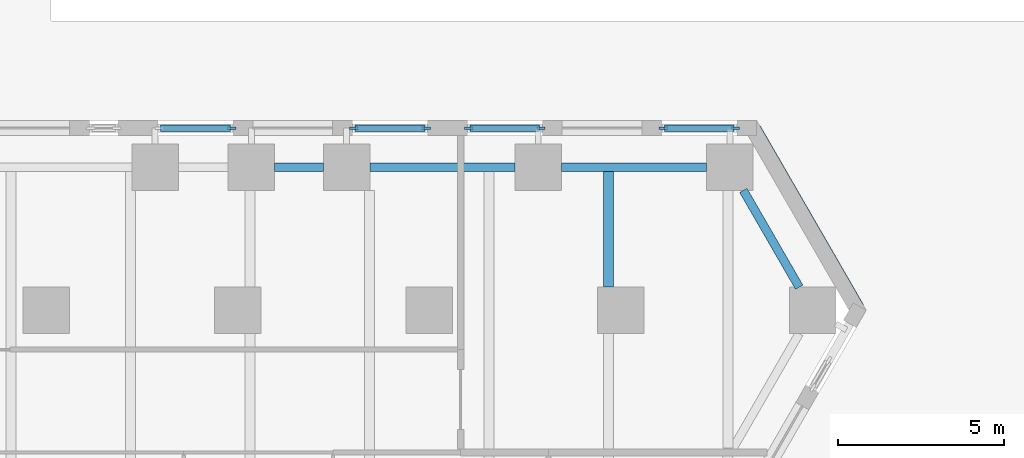
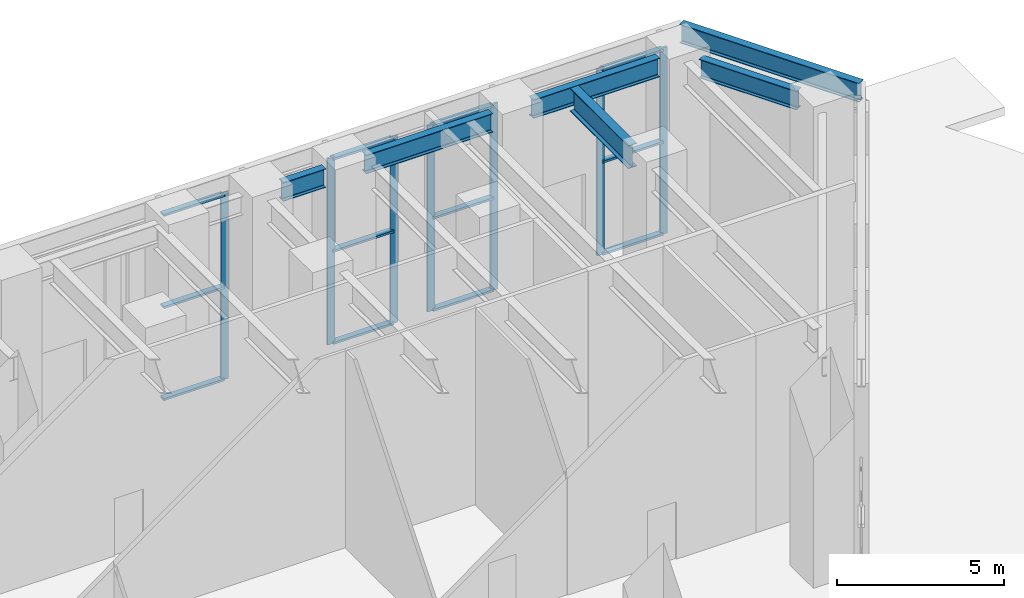
# One storey, part 16 of 37: 19 members, 6 beams, 4 elements without a shape of their own.
"""IFC4 building model written with IfcOpenShell, lengths in metres."""

from ifc_helpers import new_model, si_unit, direction, frame, origin, origin_2d, place, context, subcontext, project, spatial, rectangle, i_section, extrude, material, material_profile, profile_set, type_object, element, aggregate, save


model = new_model("IFC4")

# Units and contexts
model_context = context("Model", 3, precision=1e-05, world=origin(), true_north=direction((0.0, 1.0)))
body_context = subcontext(model_context, "Body", "Model", "MODEL_VIEW")
ifc_project = project(units=[si_unit("LENGTHUNIT", "METRE"), si_unit("AREAUNIT", "SQUARE_METRE"), si_unit("VOLUMEUNIT", "CUBIC_METRE"), si_unit("PLANEANGLEUNIT", "RADIAN"), si_unit("MASSUNIT", "GRAM", prefix="KILO")], contexts=[model_context])

# Site, building, storey
site_placement = place(None, origin())
site = spatial("IfcSite", under=ifc_project, at=site_placement, CompositionType="ELEMENT")
building_placement = place(site_placement, origin())
building = spatial("IfcBuilding", under=site, at=building_placement, Name="Aloe Facet Convention Tower", CompositionType="ELEMENT")
storey_placement = place(building_placement, origin())
storey = spatial("IfcBuildingStorey", under=building, at=storey_placement, Name="L00", CompositionType="ELEMENT", Elevation=0.0)

# Beam
ifc_material_1 = material(Name="Steel S355", Category="steel")
ifc_material_profile_1 = material_profile(ifc_material_1, i_section(OverallWidth=0.25439453125, OverallDepth=0.6875, WebThickness=0.01318359375, FlangeThickness=0.02099609375, FilletRadius=0.01513671875, at=origin_2d()), Name="UB 686x254x152")
ifc_profile_set_1 = profile_set([ifc_material_profile_1], Name="Steel S355")
beam_type_1 = type_object("IfcBeamType", Name="EV-EB-UB686x254x152", PredefinedType="BEAM", material=ifc_profile_set_1)
beam_1_placement = place(storey_placement, frame((134.372802734375, 129.396728515625, 6.856201171875), z_axis=(-0.500016243463, 0.866016025414, 0.0), x_axis=(-0.866016025414, -0.500016243463, 0.0)))
element("IfcBeam", 1, at=beam_1_placement, inside=storey, type_object=beam_type_1, Name="EB-L01-C", PredefinedType="BEAM", context=body_context, shape_type="SweptSolid", body=[
    extrude(i_section(OverallWidth=0.25439453125, OverallDepth=0.6875, WebThickness=0.01318359375, FlangeThickness=0.02099609375, FilletRadius=0.01513671875, at=origin_2d()), origin(), (0.0, 0.0, 1.0), 6.210205078125),
])

# Curtain wall, members
ifc_material_2 = material(Name="Aluminium, anodised", Category="aluminium")
curtain_wall_type = type_object("IfcCurtainWallType", Name="EV-CW-PORTAL", PredefinedType="USERDEFINED", material=ifc_material_2)
curtain_wall_1_placement = place(storey_placement, origin())
curtain_wall_1 = element("IfcCurtainWall", 2, at=curtain_wall_1_placement, inside=storey, type_object=curtain_wall_type, Name="CW-L00-N02A", ObjectType="ENTRANCE PORTAL GLAZING", PredefinedType="USERDEFINED")
ifc_material_3 = material(Name="Aluminium, anodised", Category="aluminium")
ifc_material_profile_2 = material_profile(ifc_material_3, rectangle(XDim=0.080078125, YDim=0.25, at=origin_2d()), Name="AL 80x250")
ifc_profile_set_2 = profile_set([ifc_material_profile_2], Name="Aluminium, anodised")
member_type_1 = type_object("IfcMemberType", Name="EV-MULL-PORTAL", PredefinedType="MULLION", material=ifc_profile_set_2)
member_1_placement = place(storey_placement, frame((130.62744140625, 134.77490234375, -0.300048828125), z_axis=(0.0, 0.0, 1.0), x_axis=(0.0, -1.0, 0.0)))
member_1 = element("IfcMember", 3, at=member_1_placement, type_object=member_type_1, Name="CW-L00-N02A mullion 1", PredefinedType="MULLION", context=body_context, shape_type="SweptSolid", body=[
    extrude(rectangle(XDim=0.080078125, YDim=0.25, at=origin_2d()), origin(), (0.0, 0.0, 1.0), 6.8125),
])
member_2_placement = place(storey_placement, frame((128.44677734375, 134.77490234375, -0.300048828125), z_axis=(0.0, 0.0, 1.0), x_axis=(0.0, -1.0, 0.0)))
member_2 = element("IfcMember", 4, at=member_2_placement, type_object=member_type_1, Name="CW-L00-N02A mullion 2", PredefinedType="MULLION", context=body_context, shape_type="SweptSolid", body=[
    extrude(rectangle(XDim=0.080078125, YDim=0.25, at=origin_2d()), origin(), (0.0, 0.0, 1.0), 6.8125),
])

curtain_wall_2_placement = place(storey_placement, origin())
curtain_wall_2 = element("IfcCurtainWall", 5, at=curtain_wall_2_placement, inside=storey, type_object=curtain_wall_type, Name="CW-L00-N02B", ObjectType="ENTRANCE PORTAL GLAZING", PredefinedType="USERDEFINED")
member_3_placement = place(storey_placement, frame((124.766845703125, 134.77490234375, -0.300048828125), z_axis=(0.0, 0.0, 1.0), x_axis=(0.0, -1.0, 0.0)))
member_3 = element("IfcMember", 6, at=member_3_placement, type_object=member_type_1, Name="CW-L00-N02B mullion 1", PredefinedType="MULLION", context=body_context, shape_type="SweptSolid", body=[
    extrude(rectangle(XDim=0.080078125, YDim=0.25, at=origin_2d()), origin(), (0.0, 0.0, 1.0), 6.8125),
])
member_4_placement = place(storey_placement, frame((122.586181640625, 134.77490234375, -0.300048828125), z_axis=(0.0, 0.0, 1.0), x_axis=(0.0, -1.0, 0.0)))
member_4 = element("IfcMember", 7, at=member_4_placement, type_object=member_type_1, Name="CW-L00-N02B mullion 2", PredefinedType="MULLION", context=body_context, shape_type="SweptSolid", body=[
    extrude(rectangle(XDim=0.080078125, YDim=0.25, at=origin_2d()), origin(), (0.0, 0.0, 1.0), 6.8125),
])

curtain_wall_3_placement = place(storey_placement, origin())
curtain_wall_3 = element("IfcCurtainWall", 8, at=curtain_wall_3_placement, inside=storey, type_object=curtain_wall_type, Name="CW-L00-N04A", ObjectType="ENTRANCE PORTAL GLAZING", PredefinedType="USERDEFINED")
member_5_placement = place(storey_placement, frame((121.30615234375, 134.77490234375, -0.300048828125), z_axis=(0.0, 0.0, 1.0), x_axis=(0.0, -1.0, 0.0)))
member_5 = element("IfcMember", 9, at=member_5_placement, type_object=member_type_1, Name="CW-L00-N04A mullion 1", PredefinedType="MULLION", context=body_context, shape_type="SweptSolid", body=[
    extrude(rectangle(XDim=0.080078125, YDim=0.25, at=origin_2d()), origin(), (0.0, 0.0, 1.0), 6.8125),
])
member_6_placement = place(storey_placement, frame((119.12548828125, 134.77490234375, -0.300048828125), z_axis=(0.0, 0.0, 1.0), x_axis=(0.0, -1.0, 0.0)))
member_6 = element("IfcMember", 10, at=member_6_placement, type_object=member_type_1, Name="CW-L00-N04A mullion 2", PredefinedType="MULLION", context=body_context, shape_type="SweptSolid", body=[
    extrude(rectangle(XDim=0.080078125, YDim=0.25, at=origin_2d()), origin(), (0.0, 0.0, 1.0), 6.8125),
])

# Curtain wall, member
curtain_wall_4_placement = place(storey_placement, origin())
curtain_wall_4 = element("IfcCurtainWall", 11, at=curtain_wall_4_placement, inside=storey, type_object=curtain_wall_type, Name="CW-L00-N04B", ObjectType="ENTRANCE PORTAL GLAZING", PredefinedType="USERDEFINED")
member_7_placement = place(storey_placement, frame((115.445556640625, 134.77490234375, -0.300048828125), z_axis=(0.0, 0.0, 1.0), x_axis=(0.0, -1.0, 0.0)))
member_7 = element("IfcMember", 12, at=member_7_placement, type_object=member_type_1, Name="CW-L00-N04B mullion 1", PredefinedType="MULLION", context=body_context, shape_type="SweptSolid", body=[
    extrude(rectangle(XDim=0.080078125, YDim=0.25, at=origin_2d()), origin(), (0.0, 0.0, 1.0), 6.8125),
])

# Member
ifc_material_4 = material(Name="Aluminium, anodised", Category="aluminium")
ifc_material_profile_3 = material_profile(ifc_material_4, rectangle(XDim=0.199951171875, YDim=0.080078125, at=origin_2d()), Name="AL 200x80")
ifc_profile_set_3 = profile_set([ifc_material_profile_3], Name="Aluminium, anodised")
member_type_2 = type_object("IfcMemberType", Name="EV-TRAN-PORTAL", PredefinedType="USERDEFINED", material=ifc_profile_set_3)
member_8_placement = place(storey_placement, frame((130.58740234375, 134.77490234375, -0.260009765625), z_axis=(-1.0, 0.0, 0.0), x_axis=(0.0, -1.0, 0.0)))
member_8 = element("IfcMember", 13, at=member_8_placement, type_object=member_type_2, Name="CW-L00-N02A transom 1.1", ObjectType="TRANSOM", PredefinedType="USERDEFINED", context=body_context, shape_type="SweptSolid", body=[
    extrude(rectangle(XDim=0.199951171875, YDim=0.080078125, at=origin_2d()), origin(), (0.0, 0.0, 1.0), 2.1005859375),
])

member_9_placement = place(storey_placement, frame((130.58740234375, 134.77490234375, 3.106201171875), z_axis=(-1.0, 0.0, 0.0), x_axis=(0.0, -1.0, 0.0)))
member_9 = element("IfcMember", 14, at=member_9_placement, type_object=member_type_2, Name="CW-L00-N02A transom 1.2", ObjectType="TRANSOM", PredefinedType="USERDEFINED", context=body_context, shape_type="SweptSolid", body=[
    extrude(rectangle(XDim=0.199951171875, YDim=0.080078125, at=origin_2d()), origin(), (0.0, 0.0, 1.0), 2.1005859375),
])

member_10_placement = place(storey_placement, frame((130.58740234375, 134.77490234375, 6.472412109375), z_axis=(-1.0, 0.0, 0.0), x_axis=(0.0, -1.0, 0.0)))
member_10 = element("IfcMember", 15, at=member_10_placement, type_object=member_type_2, Name="CW-L00-N02A transom 1.3", ObjectType="TRANSOM", PredefinedType="USERDEFINED", context=body_context, shape_type="SweptSolid", body=[
    extrude(rectangle(XDim=0.199951171875, YDim=0.080078125, at=origin_2d()), origin(), (0.0, 0.0, 1.0), 2.1005859375),
])

aggregate(curtain_wall_1, [member_1, member_2, member_8, member_9, member_10])

member_11_placement = place(storey_placement, frame((124.726806640625, 134.77490234375, -0.260009765625), z_axis=(-1.0, 0.0, 0.0), x_axis=(0.0, -1.0, 0.0)))
member_11 = element("IfcMember", 16, at=member_11_placement, type_object=member_type_2, Name="CW-L00-N02B transom 1.1", ObjectType="TRANSOM", PredefinedType="USERDEFINED", context=body_context, shape_type="SweptSolid", body=[
    extrude(rectangle(XDim=0.199951171875, YDim=0.080078125, at=origin_2d()), origin(), (0.0, 0.0, 1.0), 2.1005859375),
])

member_12_placement = place(storey_placement, frame((124.726806640625, 134.77490234375, 3.106201171875), z_axis=(-1.0, 0.0, 0.0), x_axis=(0.0, -1.0, 0.0)))
member_12 = element("IfcMember", 17, at=member_12_placement, type_object=member_type_2, Name="CW-L00-N02B transom 1.2", ObjectType="TRANSOM", PredefinedType="USERDEFINED", context=body_context, shape_type="SweptSolid", body=[
    extrude(rectangle(XDim=0.199951171875, YDim=0.080078125, at=origin_2d()), origin(), (0.0, 0.0, 1.0), 2.1005859375),
])

member_13_placement = place(storey_placement, frame((124.726806640625, 134.77490234375, 6.472412109375), z_axis=(-1.0, 0.0, 0.0), x_axis=(0.0, -1.0, 0.0)))
member_13 = element("IfcMember", 18, at=member_13_placement, type_object=member_type_2, Name="CW-L00-N02B transom 1.3", ObjectType="TRANSOM", PredefinedType="USERDEFINED", context=body_context, shape_type="SweptSolid", body=[
    extrude(rectangle(XDim=0.199951171875, YDim=0.080078125, at=origin_2d()), origin(), (0.0, 0.0, 1.0), 2.1005859375),
])

aggregate(curtain_wall_2, [member_3, member_4, member_11, member_12, member_13])

member_14_placement = place(storey_placement, frame((121.26611328125, 134.77490234375, -0.260009765625), z_axis=(-1.0, 0.0, 0.0), x_axis=(0.0, -1.0, 0.0)))
member_14 = element("IfcMember", 19, at=member_14_placement, type_object=member_type_2, Name="CW-L00-N04A transom 1.1", ObjectType="TRANSOM", PredefinedType="USERDEFINED", context=body_context, shape_type="SweptSolid", body=[
    extrude(rectangle(XDim=0.199951171875, YDim=0.080078125, at=origin_2d()), origin(), (0.0, 0.0, 1.0), 2.1005859375),
])

member_15_placement = place(storey_placement, frame((121.26611328125, 134.77490234375, 3.106201171875), z_axis=(-1.0, 0.0, 0.0), x_axis=(0.0, -1.0, 0.0)))
member_15 = element("IfcMember", 20, at=member_15_placement, type_object=member_type_2, Name="CW-L00-N04A transom 1.2", ObjectType="TRANSOM", PredefinedType="USERDEFINED", context=body_context, shape_type="SweptSolid", body=[
    extrude(rectangle(XDim=0.199951171875, YDim=0.080078125, at=origin_2d()), origin(), (0.0, 0.0, 1.0), 2.1005859375),
])

member_16_placement = place(storey_placement, frame((121.26611328125, 134.77490234375, 6.472412109375), z_axis=(-1.0, 0.0, 0.0), x_axis=(0.0, -1.0, 0.0)))
member_16 = element("IfcMember", 21, at=member_16_placement, type_object=member_type_2, Name="CW-L00-N04A transom 1.3", ObjectType="TRANSOM", PredefinedType="USERDEFINED", context=body_context, shape_type="SweptSolid", body=[
    extrude(rectangle(XDim=0.199951171875, YDim=0.080078125, at=origin_2d()), origin(), (0.0, 0.0, 1.0), 2.1005859375),
])

aggregate(curtain_wall_3, [member_5, member_6, member_14, member_15, member_16])

member_17_placement = place(storey_placement, frame((115.405517578125, 134.77490234375, -0.260009765625), z_axis=(-1.0, 0.0, 0.0), x_axis=(0.0, -1.0, 0.0)))
member_17 = element("IfcMember", 22, at=member_17_placement, type_object=member_type_2, Name="CW-L00-N04B transom 1.1", ObjectType="TRANSOM", PredefinedType="USERDEFINED", context=body_context, shape_type="SweptSolid", body=[
    extrude(rectangle(XDim=0.199951171875, YDim=0.080078125, at=origin_2d()), origin(), (0.0, 0.0, 1.0), 2.100830078125),
])

member_18_placement = place(storey_placement, frame((115.405517578125, 134.77490234375, 3.106201171875), z_axis=(-1.0, 0.0, 0.0), x_axis=(0.0, -1.0, 0.0)))
member_18 = element("IfcMember", 23, at=member_18_placement, type_object=member_type_2, Name="CW-L00-N04B transom 1.2", ObjectType="TRANSOM", PredefinedType="USERDEFINED", context=body_context, shape_type="SweptSolid", body=[
    extrude(rectangle(XDim=0.199951171875, YDim=0.080078125, at=origin_2d()), origin(), (0.0, 0.0, 1.0), 2.100830078125),
])

member_19_placement = place(storey_placement, frame((115.405517578125, 134.77490234375, 6.472412109375), z_axis=(-1.0, 0.0, 0.0), x_axis=(0.0, -1.0, 0.0)))
member_19 = element("IfcMember", 24, at=member_19_placement, type_object=member_type_2, Name="CW-L00-N04B transom 1.3", ObjectType="TRANSOM", PredefinedType="USERDEFINED", context=body_context, shape_type="SweptSolid", body=[
    extrude(rectangle(XDim=0.199951171875, YDim=0.080078125, at=origin_2d()), origin(), (0.0, 0.0, 1.0), 2.100830078125),
])

aggregate(curtain_wall_4, [member_7, member_17, member_18, member_19])

# Beams
ifc_material_5 = material(Name="Steel S355", Category="steel")
ifc_material_profile_4 = material_profile(ifc_material_5, i_section(OverallWidth=0.25439453125, OverallDepth=0.6875, WebThickness=0.01318359375, FlangeThickness=0.02099609375, FilletRadius=0.01513671875, at=origin_2d()), Name="UB 686x254x152")
ifc_profile_set_4 = profile_set([ifc_material_profile_4], Name="Steel S355")
beam_type_2 = type_object("IfcBeamType", Name="SF-B-UB686x254x152", PredefinedType="BEAM", material=ifc_profile_set_4)
beam_2_placement = place(storey_placement, frame((116.741943359375, 133.60009765625, 6.856201171875), z_axis=(1.0, 0.0, 0.0), x_axis=(0.0, 1.0, 0.0)))
element("IfcBeam", 25, at=beam_2_placement, inside=storey, type_object=beam_type_2, Name="Floor beam FB-L01-023", PredefinedType="BEAM", context=body_context, shape_type="SweptSolid", body=[
    extrude(i_section(OverallWidth=0.25439453125, OverallDepth=0.6875, WebThickness=0.01318359375, FlangeThickness=0.02099609375, FilletRadius=0.01513671875, at=origin_2d()), origin(), (0.0, 0.0, 1.0), 1.469970703125),
])
beam_3_placement = place(storey_placement, frame((119.612060546875, 133.60009765625, 6.856201171875), z_axis=(1.0, 0.0, 0.0), x_axis=(0.0, 1.0, 0.0)))
element("IfcBeam", 26, at=beam_3_placement, inside=storey, type_object=beam_type_2, Name="Floor beam FB-L01-025", PredefinedType="BEAM", context=body_context, shape_type="SweptSolid", body=[
    extrude(i_section(OverallWidth=0.25439453125, OverallDepth=0.6875, WebThickness=0.01318359375, FlangeThickness=0.02099609375, FilletRadius=0.01513671875, at=origin_2d()), origin(), (0.0, 0.0, 1.0), 4.3740234375),
])
beam_4_placement = place(storey_placement, frame((125.385986328125, 133.60009765625, 6.856201171875), z_axis=(1.0, 0.0, 0.0), x_axis=(0.0, 1.0, 0.0)))
element("IfcBeam", 27, at=beam_4_placement, inside=storey, type_object=beam_type_2, Name="Floor beam FB-L01-027", PredefinedType="BEAM", context=body_context, shape_type="SweptSolid", body=[
    extrude(i_section(OverallWidth=0.25439453125, OverallDepth=0.6875, WebThickness=0.01318359375, FlangeThickness=0.02099609375, FilletRadius=0.01513671875, at=origin_2d()), origin(), (0.0, 0.0, 1.0), 4.373046875),
])
beam_5_placement = place(storey_placement, frame((130.86328125, 132.89990234375, 6.856201171875), z_axis=(0.500006981563, -0.86602137294, 0.0), x_axis=(0.86602137294, 0.500006981563, 0.0)))
element("IfcBeam", 28, at=beam_5_placement, inside=storey, type_object=beam_type_2, Name="Floor beam FB-L01-028", PredefinedType="BEAM", context=body_context, shape_type="SweptSolid", body=[
    extrude(i_section(OverallWidth=0.25439453125, OverallDepth=0.6875, WebThickness=0.01318359375, FlangeThickness=0.02099609375, FilletRadius=0.01513671875, at=origin_2d()), origin(), (0.0, 0.0, 1.0), 3.3671875),
])
ifc_material_6 = material(Name="Steel S355", Category="steel")
ifc_material_profile_5 = material_profile(ifc_material_6, i_section(OverallWidth=0.293701171875, OverallDepth=0.850830078125, WebThickness=0.01611328125, FlangeThickness=0.02685546875, FilletRadius=0.017822265625, at=origin_2d()), Name="UB 838x292x226")
ifc_profile_set_5 = profile_set([ifc_material_profile_5], Name="Steel S355")
beam_type_3 = type_object("IfcBeamType", Name="SF-B-UB838x292x226", PredefinedType="BEAM", material=ifc_profile_set_5)
beam_6_placement = place(storey_placement, frame((126.800048828125, 129.98388671875, 6.774658203125), z_axis=(0.0, 1.0, 0.0), x_axis=(-1.0, 0.0, 0.0)))
element("IfcBeam", 29, at=beam_6_placement, inside=storey, type_object=beam_type_3, Name="Floor beam FB-L01-175", PredefinedType="BEAM", context=body_context, shape_type="SweptSolid", body=[
    extrude(i_section(OverallWidth=0.293701171875, OverallDepth=0.850830078125, WebThickness=0.01611328125, FlangeThickness=0.02685546875, FilletRadius=0.017822265625, at=origin_2d()), origin(), (0.0, 0.0, 1.0), 3.478759765625),
])

save(model, "model.ifc")
